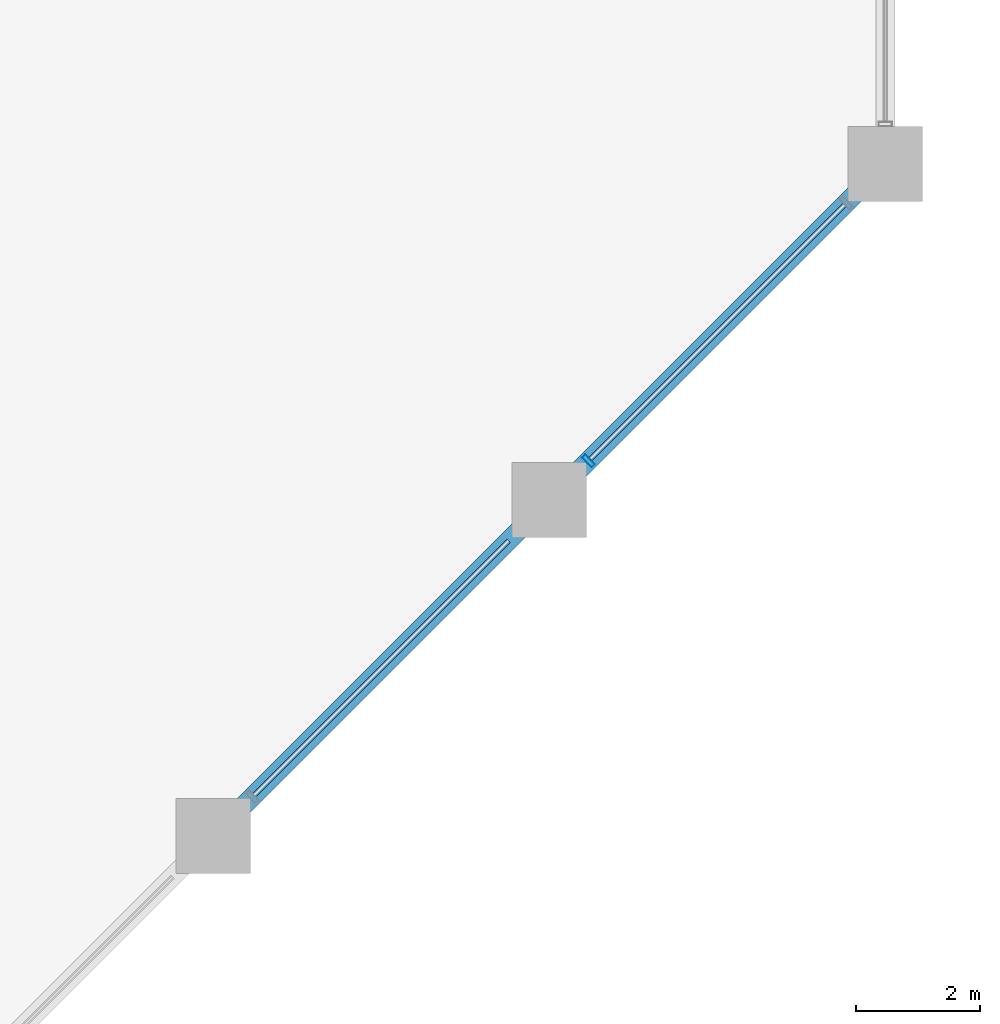
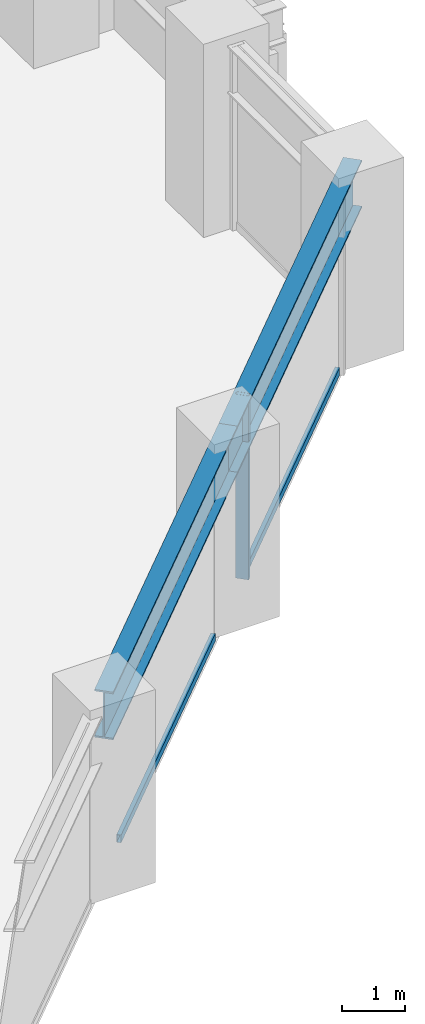
# One storey, part 9 of 26: 3 members, 2 beams, 1 element without a shape of its own.
"""IFC4 building model written with IfcOpenShell, lengths in metres."""

from ifc_helpers import new_model, si_unit, direction, frame, origin, origin_2d, place, context, subcontext, project, spatial, hollow_rectangle, i_section, extrude, material, layer, layer_set, material_profile, profile_set, type_object, element, aggregate, save


model = new_model("IFC4")

# Units and contexts
model_context = context("Model", 3, precision=1e-05, world=origin(), true_north=direction((0.0, 1.0)))
body_context = subcontext(model_context, "Body", "Model", "MODEL_VIEW")
ifc_project = project(units=[si_unit("LENGTHUNIT", "METRE"), si_unit("AREAUNIT", "SQUARE_METRE"), si_unit("VOLUMEUNIT", "CUBIC_METRE"), si_unit("PLANEANGLEUNIT", "RADIAN"), si_unit("MASSUNIT", "GRAM", prefix="KILO")], contexts=[model_context])

# Site, building, storey
site_placement = place(None, origin())
site = spatial("IfcSite", under=ifc_project, at=site_placement, CompositionType="ELEMENT")
building_placement = place(site_placement, origin())
building = spatial("IfcBuilding", under=site, at=building_placement, Name="Surkhivell Harbour Commons", CompositionType="ELEMENT")
storey_placement = place(building_placement, frame((0.0, 0.0, 60.0)))
storey = spatial("IfcBuildingStorey", under=building, at=storey_placement, Name="L15", CompositionType="ELEMENT", Elevation=60.0)

# Beams
ifc_material_1 = material(Name="Steel S460", Category="steel")
ifc_material_profile_1 = material_profile(ifc_material_1, i_section(OverallWidth=0.30810546875, OverallDepth=0.927001953125, WebThickness=0.01953125, FlangeThickness=0.031982421875, at=origin_2d()), Name="UB914x305x289")
ifc_profile_set_1 = profile_set([ifc_material_profile_1], Name="Steel S460")
beam_type = type_object("IfcBeamType", Name="BM-SPN-914B", PredefinedType="SPANDREL", material=ifc_profile_set_1)
for number, where, z_axis, x_axis, name in (
    (1, (21.60009765625, -4.300048828125, 3.1064453125), (0.707090796496, 0.707122765516, 0.0), (-0.707122765516, 0.707090796496, 0.0), "L15 Tube Spandrel (21.6,-4.3)"),
    (2, (27.0, 1.10009765625, 3.1064453125), (0.707106781187, 0.707106781187, 0.0), (-0.707106781187, 0.707106781187, 0.0), "L15 Tube Spandrel (27.0,1.1)"),
):
    element("IfcBeam", number, at=place(storey_placement, frame(where, z_axis=z_axis, x_axis=x_axis)), inside=storey, type_object=beam_type, Name=name, PredefinedType="SPANDREL", context=body_context, shape_type="SweptSolid", body=[
        extrude(i_section(OverallWidth=0.30810546875, OverallDepth=0.927001953125, WebThickness=0.01953125, FlangeThickness=0.031982421875, at=origin_2d()), origin(), (0.0, 0.0, 1.0), 7.63671875),
    ])

# Curtain wall, members
ifc_material_2 = material(Name="Anodised pale-metal aluminium and insulated glazing", Category="aluminium")
ifc_layer = layer(ifc_material_2, 0.219970703125)
ifc_layer_set = layer_set([ifc_layer], Name="Anodised pale-metal aluminium and insulated glazing")
curtain_wall_type = type_object("IfcCurtainWallType", Name="CW-SYS-Z1", PredefinedType="NOTDEFINED", material=ifc_layer_set)
curtain_wall_placement = place(storey_placement, origin())
curtain_wall = element("IfcCurtainWall", 3, at=curtain_wall_placement, inside=storey, type_object=curtain_wall_type, Name="L15 Curtain Wall CW-L15-E01", PredefinedType="NOTDEFINED")
ifc_material_3 = material(Name="Anodised pale-metal aluminium alloy 6063-T6", Category="aluminium")
ifc_material_profile_2 = material_profile(ifc_material_3, hollow_rectangle(XDim=0.074951171875, YDim=0.219970703125, WallThickness=0.00390625, at=origin_2d()), Name="ALU-MULL-75x220")
ifc_profile_set_2 = profile_set([ifc_material_profile_2], Name="Anodised pale-metal aluminium alloy 6063-T6")
member_type_1 = type_object("IfcMemberType", Name="CWM-220", PredefinedType="MULLION", material=ifc_profile_set_2)
member_1_placement = place(storey_placement, frame((27.628173828125, 1.728271484375, 0.0), z_axis=(0.0, 0.0, 1.0), x_axis=(0.707106781187, 0.707106781187, 0.0)))
member_1 = element("IfcMember", 4, at=member_1_placement, type_object=member_type_1, Name="CW-Z1 mullion 7", PredefinedType="MULLION", context=body_context, shape_type="SweptSolid", body=[
    extrude(hollow_rectangle(XDim=0.074951171875, YDim=0.219970703125, WallThickness=0.00390625, at=origin_2d()), origin(), (0.0, 0.0, 1.0), 3.570068359375),
])
ifc_material_profile_3 = material_profile(ifc_material_3, hollow_rectangle(XDim=0.074951171875, YDim=0.14990234375, WallThickness=0.00341796875, at=origin_2d()), Name="ALU-TRAN-75x150")
ifc_profile_set_3 = profile_set([ifc_material_profile_3], Name="Anodised pale-metal aluminium alloy 6063-T6")
member_type_2 = type_object("IfcMemberType", Name="CWT-150", PredefinedType="USERDEFINED", material=ifc_profile_set_3)
member_2_placement = place(storey_placement, frame((22.2548828125, -3.645263671875, 0.074951171875), z_axis=(0.707085678876, 0.707127882868, 0.0), x_axis=(-0.707127882868, 0.707085678876, 0.0)))
member_2 = element("IfcMember", 5, at=member_2_placement, type_object=member_type_2, Name="CW-Z1 transom 6.1", ObjectType="TRANSOM", PredefinedType="USERDEFINED", context=body_context, shape_type="SweptSolid", body=[
    extrude(hollow_rectangle(XDim=0.074951171875, YDim=0.14990234375, WallThickness=0.00341796875, at=origin_2d()), origin(), (0.0, 0.0, 1.0), 5.78466796875),
])
member_3_placement = place(storey_placement, frame((27.65478515625, 1.7548828125, 0.074951171875), z_axis=(0.707106781187, 0.707106781187, 0.0), x_axis=(-0.707106781187, 0.707106781187, 0.0)))
member_3 = element("IfcMember", 6, at=member_3_placement, type_object=member_type_2, Name="CW-Z1 transom 7.1", ObjectType="TRANSOM", PredefinedType="USERDEFINED", context=body_context, shape_type="SweptSolid", body=[
    extrude(hollow_rectangle(XDim=0.074951171875, YDim=0.14990234375, WallThickness=0.00341796875, at=origin_2d()), origin(), (0.0, 0.0, 1.0), 5.78466796875),
])
aggregate(curtain_wall, [member_2, member_1, member_3])

save(model, "model.ifc")
